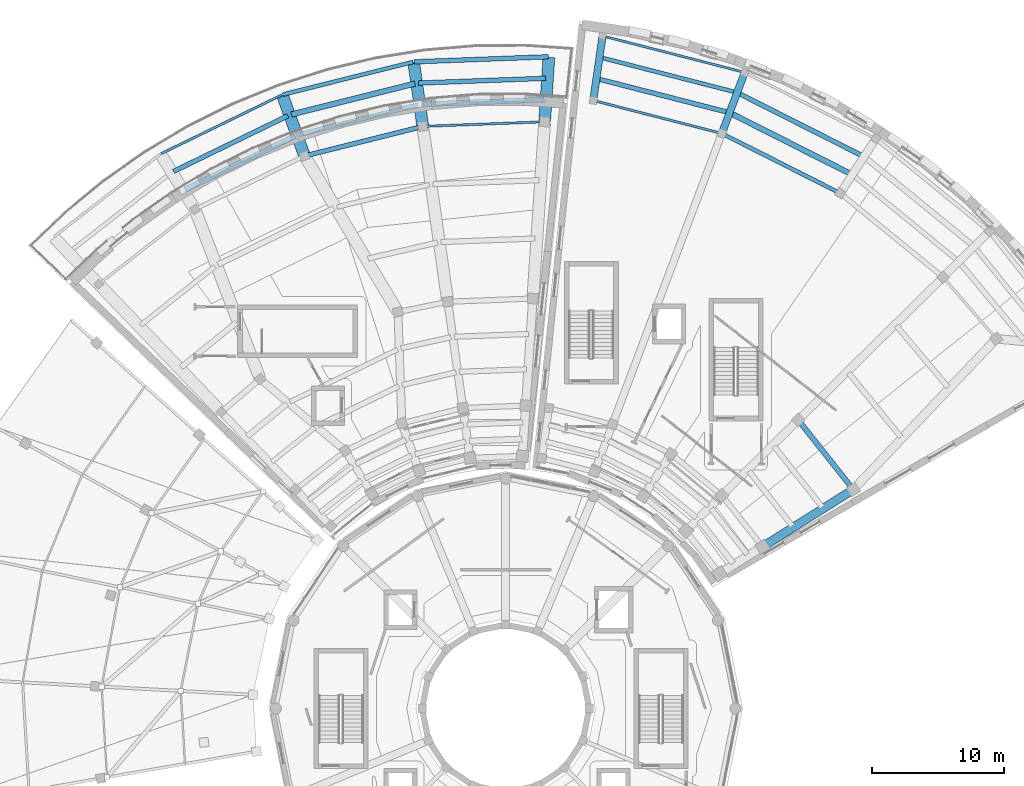
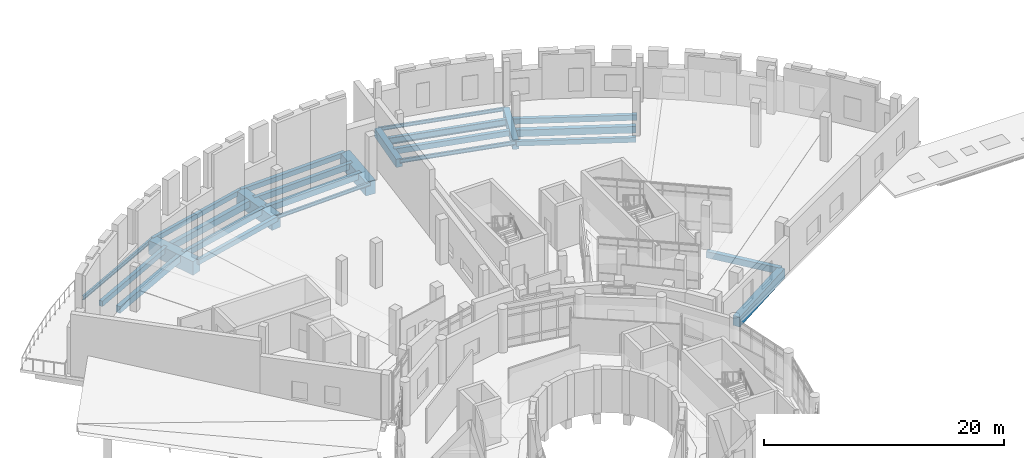
# One storey, part 19 of 49: 25 beams.
"""IFC4 building model written with IfcOpenShell, lengths in metres."""

from ifc_helpers import new_model, si_unit, direction, frame, origin, origin_2d, place, context, subcontext, project, spatial, rectangle, i_section, extrude, material, material_profile, profile_set, type_object, element, save


model = new_model("IFC4")

# Units and contexts
model_context = context("Model", 3, precision=1e-05, world=origin(), true_north=direction((0.0, 1.0)))
body_context = subcontext(model_context, "Body", "Model", "MODEL_VIEW")
ifc_project = project(units=[si_unit("LENGTHUNIT", "METRE"), si_unit("AREAUNIT", "SQUARE_METRE"), si_unit("VOLUMEUNIT", "CUBIC_METRE"), si_unit("PLANEANGLEUNIT", "RADIAN"), si_unit("MASSUNIT", "GRAM", prefix="KILO")], contexts=[model_context])

# Site, building, storey
site_placement = place(None, origin())
site = spatial("IfcSite", under=ifc_project, at=site_placement, CompositionType="ELEMENT")
building_placement = place(site_placement, origin())
building = spatial("IfcBuilding", under=site, at=building_placement, Name="Soyqirgoq Riverine Aquarium", CompositionType="ELEMENT")
storey_placement = place(building_placement, frame((0.0, 0.0, 15.0)))
storey = spatial("IfcBuildingStorey", under=building, at=storey_placement, Name="L04", CompositionType="ELEMENT", Elevation=15.0)

# Beams
ifc_material_1 = material(Name="Concrete C40/50", Category="concrete")
ifc_material_profile_1 = material_profile(ifc_material_1, rectangle(XDim=0.35009765625, YDim=0.60009765625, at=origin_2d()), Name="RC 350x600")
ifc_profile_set_1 = profile_set([ifc_material_profile_1], Name="Concrete C40/50")
beam_type_1 = type_object("IfcBeamType", Name="Beam_RC_350x600", PredefinedType="JOIST", material=ifc_profile_set_1)
beam_1_placement = place(storey_placement, frame((59.0390625, 104.855712890625, -0.580078125), z_axis=(-0.999297071666, -0.037488165589, 0.0), x_axis=(0.037488165589, -0.999297071666, 0.0)))
element("IfcBeam", 1, at=beam_1_placement, inside=storey, type_object=beam_type_1, Name="V4 L04 Secondary Floor Joist 0735", PredefinedType="JOIST", context=body_context, shape_type="SweptSolid", body=[
    extrude(rectangle(XDim=0.35009765625, YDim=0.60009765625, at=origin_2d()), origin(), (0.0, 0.0, 1.0), 9.66455078125),
])
beam_2_placement = place(storey_placement, frame((49.335693359375, 102.8369140625, -0.580078125), z_axis=(-0.970079328611, -0.242788171462, 0.0), x_axis=(0.242788171462, -0.970079328611, 0.0)))
element("IfcBeam", 2, at=beam_2_placement, inside=storey, type_object=beam_type_1, Name="V4 L04 Secondary Floor Joist 0736", PredefinedType="JOIST", context=body_context, shape_type="SweptSolid", body=[
    extrude(rectangle(XDim=0.35009765625, YDim=0.60009765625, at=origin_2d()), origin(), (0.0, 0.0, 1.0), 9.32568359375),
])
ifc_material_2 = material(Name="Concrete C40/50", Category="concrete")
ifc_material_profile_2 = material_profile(ifc_material_2, rectangle(XDim=0.39990234375, YDim=0.60009765625, at=origin_2d()), Name="RC 400x600")
ifc_profile_set_2 = profile_set([ifc_material_profile_2], Name="Concrete C40/50")
beam_type_2 = type_object("IfcBeamType", Name="Beam_RC_400x600", PredefinedType="JOIST", material=ifc_profile_set_2)
beam_3_placement = place(storey_placement, frame((58.930908203125, 103.225830078125, -0.580078125), z_axis=(-0.999297076426, -0.037488038705, 0.0), x_axis=(0.037488038705, -0.999297076426, 0.0)))
element("IfcBeam", 3, at=beam_3_placement, inside=storey, type_object=beam_type_2, Name="V4 L04 Secondary Floor Joist 0734", PredefinedType="JOIST", context=body_context, shape_type="SweptSolid", body=[
    extrude(rectangle(XDim=0.39990234375, YDim=0.60009765625, at=origin_2d()), origin(), (0.0, 0.0, 1.0), 9.325927734375),
])
ifc_material_3 = material(Name="Concrete C40/50", Category="concrete")
ifc_material_profile_3 = material_profile(ifc_material_3, rectangle(XDim=0.39990234375, YDim=0.64990234375, at=origin_2d()), Name="RC 400x650")
ifc_profile_set_3 = profile_set([ifc_material_profile_3], Name="Concrete C40/50")
beam_type_3 = type_object("IfcBeamType", Name="Beam_RC_400x650", PredefinedType="BEAM", material=ifc_profile_set_3)
beam_4_placement = place(storey_placement, frame((82.3701171875, 73.664794921875, -0.60498046875), z_axis=(-0.621132353324, 0.783705684332, 0.0), x_axis=(-0.783705684332, -0.621132353324, 0.0)))
element("IfcBeam", 4, at=beam_4_placement, inside=storey, type_object=beam_type_3, Name="V5 L04 Wedge Chord Beam 0935", PredefinedType="BEAM", context=body_context, shape_type="SweptSolid", body=[
    extrude(rectangle(XDim=0.39990234375, YDim=0.64990234375, at=origin_2d()), origin(), (0.0, 0.0, 1.0), 6.63916015625),
])
ifc_material_4 = material(Name="Concrete C40/50", Category="concrete")
ifc_material_profile_4 = material_profile(ifc_material_4, rectangle(XDim=0.419921875, YDim=0.679931640625, at=origin_2d()), Name="RC 420x680")
ifc_profile_set_4 = profile_set([ifc_material_profile_4], Name="Concrete C40/50")
beam_type_4 = type_object("IfcBeamType", Name="Beam_RC_420x680", PredefinedType="BEAM", material=ifc_profile_set_4)
beam_5_placement = place(storey_placement, frame((49.105712890625, 104.4541015625, -0.6201171875), z_axis=(-0.970086007326, -0.242761484569, 0.0), x_axis=(0.242761484569, -0.970086007326, 0.0)))
element("IfcBeam", 5, at=beam_5_placement, inside=storey, type_object=beam_type_4, Name="V4 L04 Secondary Floor Joist 0737", PredefinedType="BEAM", context=body_context, shape_type="SweptSolid", body=[
    extrude(rectangle(XDim=0.419921875, YDim=0.679931640625, at=origin_2d()), origin(), (0.0, 0.0, 1.0), 9.66455078125),
])
beam_6_placement = place(storey_placement, frame((40.02734375, 100.4775390625, -0.6201171875), z_axis=(-0.899181920875, -0.437574991482, 0.0), x_axis=(0.437574991482, -0.899181920875, 0.0)))
element("IfcBeam", 6, at=beam_6_placement, inside=storey, type_object=beam_type_4, Name="V4 L04 Secondary Floor Joist 0738", PredefinedType="BEAM", context=body_context, shape_type="SweptSolid", body=[
    extrude(rectangle(XDim=0.419921875, YDim=0.679931640625, at=origin_2d()), origin(), (0.0, 0.0, 1.0), 9.325927734375),
])
beam_7_placement = place(storey_placement, frame((82.19921875, 97.5986328125, -0.6201171875), z_axis=(-0.892588619562, 0.450871995392, 0.0), x_axis=(-0.450871995392, -0.892588619562, 0.0)))
element("IfcBeam", 7, at=beam_7_placement, inside=storey, type_object=beam_type_4, Name="V5 L04 Secondary Floor Joist 0946", PredefinedType="BEAM", context=body_context, shape_type="SweptSolid", body=[
    extrude(rectangle(XDim=0.419921875, YDim=0.679931640625, at=origin_2d()), origin(), (0.0, 0.0, 1.0), 10.159912109375),
])
ifc_material_5 = material(Name="Concrete C40/50", Category="concrete")
ifc_material_profile_5 = material_profile(ifc_material_5, rectangle(XDim=0.550048828125, YDim=0.85009765625, at=origin_2d()), Name="RC 550x850")
ifc_profile_set_5 = profile_set([ifc_material_profile_5], Name="Concrete C40/50")
beam_type_5 = type_object("IfcBeamType", Name="Girder_RC_550x850", PredefinedType="BEAM", material=ifc_profile_set_5)
beam_8_placement = place(storey_placement, frame((62.66064453125, 103.22265625, -0.705078125), z_axis=(0.142661605839, 0.989771522231, 0.0), x_axis=(-0.989771522231, 0.142661605839, 0.0)))
element("IfcBeam", 8, at=beam_8_placement, inside=storey, type_object=beam_type_5, Name="V5 L04 Wedge Radial Girder 0916", PredefinedType="BEAM", context=body_context, shape_type="SweptSolid", body=[
    extrude(rectangle(XDim=0.550048828125, YDim=0.85009765625, at=origin_2d()), origin(), (0.0, 0.0, 1.0), 4.849853515625),
])
ifc_material_6 = material(Name="Concrete C40/50", Category="concrete")
ifc_material_profile_6 = material_profile(ifc_material_6, rectangle(XDim=0.550048828125, YDim=0.949951171875, at=origin_2d()), Name="RC 550x950")
ifc_profile_set_6 = profile_set([ifc_material_profile_6], Name="Concrete C40/50")
beam_type_6 = type_object("IfcBeamType", Name="Girder_RC_550x950", PredefinedType="BEAM", material=ifc_profile_set_6)
beam_9_placement = place(storey_placement, frame((72.430908203125, 100.714111328125, -0.7548828125), z_axis=(0.35186806863, 0.936049604604, 0.0), x_axis=(-0.936049604604, 0.35186806863, 0.0)))
element("IfcBeam", 9, at=beam_9_placement, inside=storey, type_object=beam_type_6, Name="V5 L04 Wedge Radial Girder 0914", PredefinedType="BEAM", context=body_context, shape_type="SweptSolid", body=[
    extrude(rectangle(XDim=0.550048828125, YDim=0.949951171875, at=origin_2d()), origin(), (0.0, 0.0, 1.0), 4.849853515625),
])
ifc_material_7 = material(Name="Concrete C40/50", Category="concrete")
ifc_material_profile_7 = material_profile(ifc_material_7, rectangle(XDim=0.64990234375, YDim=1.0, at=origin_2d()), Name="RC 650x1000")
ifc_profile_set_7 = profile_set([ifc_material_profile_7], Name="Concrete C40/50")
beam_type_7 = type_object("IfcBeamType", Name="Girder_RC_650x1000", PredefinedType="BEAM", material=ifc_profile_set_7)
beam_10_placement = place(storey_placement, frame((75.547119140625, 69.309326171875, -0.780029296875), z_axis=(0.846182190255, 0.532893705063, 0.0), x_axis=(-0.532893705063, 0.846182190255, 0.0)))
element("IfcBeam", 10, at=beam_10_placement, inside=storey, type_object=beam_type_7, Name="V5 L04 Wedge Radial Girder 0903", PredefinedType="BEAM", context=body_context, shape_type="SweptSolid", body=[
    extrude(rectangle(XDim=0.64990234375, YDim=1.0, at=origin_2d()), origin(), (0.0, 0.0, 1.0), 8.050048828125),
])
ifc_material_8 = material(Name="Concrete C40/50", Category="concrete")
ifc_material_profile_8 = material_profile(ifc_material_8, rectangle(XDim=0.300048828125, YDim=0.5, at=origin_2d()), Name="RC 300x500")
ifc_profile_set_8 = profile_set([ifc_material_profile_8], Name="Concrete C40/50")
beam_type_8 = type_object("IfcBeamType", Name="Spandrel_RC_300x500", PredefinedType="SPANDREL", material=ifc_profile_set_8)
beam_11_placement = place(storey_placement, frame((48.962890625, 106.093017578125, -0.530029296875), z_axis=(-0.970084651457, -0.242766902619, 0.0), x_axis=(0.242766902619, -0.970084651457, 0.0)))
element("IfcBeam", 11, at=beam_11_placement, inside=storey, type_object=beam_type_8, Name="V4 L04 Wedge Chord Beam 0743", PredefinedType="SPANDREL", context=body_context, shape_type="SweptSolid", body=[
    extrude(rectangle(XDim=0.300048828125, YDim=0.5, at=origin_2d()), origin(), (0.0, 0.0, 1.0), 10.183349609375),
])
beam_12_placement = place(storey_placement, frame((81.36279296875, 96.146484375, -0.530029296875), z_axis=(-0.892579349445, 0.450890346919, 0.0), x_axis=(-0.450890346919, -0.892579349445, 0.0)))
element("IfcBeam", 12, at=beam_12_placement, inside=storey, type_object=beam_type_8, Name="V5 L04 Wedge Chord Beam 0940", PredefinedType="SPANDREL", context=body_context, shape_type="SweptSolid", body=[
    extrude(rectangle(XDim=0.300048828125, YDim=0.5, at=origin_2d()), origin(), (0.0, 0.0, 1.0), 9.9765625),
])
ifc_material_9 = material(Name="Concrete C40/50", Category="concrete")
ifc_material_profile_9 = material_profile(ifc_material_9, rectangle(XDim=0.35009765625, YDim=0.5, at=origin_2d()), Name="RC 350x500")
ifc_profile_set_9 = profile_set([ifc_material_profile_9], Name="Concrete C40/50")
beam_type_9 = type_object("IfcBeamType", Name="Spandrel_RC_350x500", PredefinedType="SPANDREL", material=ifc_profile_set_9)
beam_13_placement = place(storey_placement, frame((49.660400390625, 101.1923828125, -0.530029296875), z_axis=(-0.970087583471, -0.242755186135, 0.0), x_axis=(0.242755186135, -0.970087583471, 0.0)))
element("IfcBeam", 13, at=beam_13_placement, inside=storey, type_object=beam_type_9, Name="V4 L04 Wedge Chord Beam 0731", PredefinedType="SPANDREL", context=body_context, shape_type="SweptSolid", body=[
    extrude(rectangle(XDim=0.35009765625, YDim=0.5, at=origin_2d()), origin(), (0.0, 0.0, 1.0), 9.156982421875),
])
beam_14_placement = place(storey_placement, frame((59.2373046875, 106.489013671875, -0.530029296875), z_axis=(-0.999296751316, -0.037496703991, 0.0), x_axis=(0.037496703991, -0.999296751316, 0.0)))
element("IfcBeam", 14, at=beam_14_placement, inside=storey, type_object=beam_type_9, Name="V4 L04 Wedge Chord Beam 0742", PredefinedType="SPANDREL", context=body_context, shape_type="SweptSolid", body=[
    extrude(rectangle(XDim=0.35009765625, YDim=0.5, at=origin_2d()), origin(), (0.0, 0.0, 1.0), 10.18310546875),
])
ifc_material_10 = material(Name="Structural steel S355", Category="steel")
ifc_material_profile_10 = material_profile(ifc_material_10, i_section(OverallWidth=0.169921875, OverallDepth=0.360107421875, WebThickness=0.008056640625, FlangeThickness=0.0126953125, FilletRadius=0.01806640625, at=origin_2d()), Name="IPE 360")
ifc_profile_set_10 = profile_set([ifc_material_profile_10], Name="Structural steel S355")
beam_type_10 = type_object("IfcBeamType", Name="Spandrel_Steel_IPE360", PredefinedType="SPANDREL", material=ifc_profile_set_10)
beam_15_placement = place(storey_placement, frame((58.9091796875, 101.5498046875, -0.4599609375), z_axis=(-0.999297116407, -0.037486972937, 0.0), x_axis=(0.037486972937, -0.999297116407, 0.0)))
element("IfcBeam", 15, at=beam_15_placement, inside=storey, type_object=beam_type_10, Name="V4 L04 Wedge Chord Beam 0730", PredefinedType="SPANDREL", context=body_context, shape_type="SweptSolid", body=[
    extrude(i_section(OverallWidth=0.169921875, OverallDepth=0.360107421875, WebThickness=0.008056640625, FlangeThickness=0.0126953125, FilletRadius=0.01806640625, at=origin_2d()), origin(), (0.0, 0.0, 1.0), 9.15673828125),
])
beam_16_placement = place(storey_placement, frame((74.106689453125, 105.31298828125, -0.4599609375), z_axis=(-0.968579543113, 0.248703977981, 0.0), x_axis=(-0.248703977981, -0.968579543113, 0.0)))
element("IfcBeam", 16, at=beam_16_placement, inside=storey, type_object=beam_type_10, Name="V5 L04 Wedge Chord Beam 0953", PredefinedType="SPANDREL", context=body_context, shape_type="SweptSolid", body=[
    extrude(i_section(OverallWidth=0.169921875, OverallDepth=0.360107421875, WebThickness=0.008056640625, FlangeThickness=0.0126953125, FilletRadius=0.01806640625, at=origin_2d()), origin(), (0.0, 0.0, 1.0), 11.045654296875),
])
ifc_material_11 = material(Name="Structural steel S355", Category="steel")
ifc_material_profile_11 = material_profile(ifc_material_11, i_section(OverallWidth=0.179931640625, OverallDepth=0.39990234375, WebThickness=0.008544921875, FlangeThickness=0.013427734375, FilletRadius=0.02099609375, at=origin_2d()), Name="IPE 400")
ifc_profile_set_11 = profile_set([ifc_material_profile_11], Name="Structural steel S355")
beam_type_11 = type_object("IfcBeamType", Name="Spandrel_Steel_IPE400", PredefinedType="SPANDREL", material=ifc_profile_set_11)
beam_17_placement = place(storey_placement, frame((38.99072265625, 103.5869140625, -0.47998046875), z_axis=(-0.899170842723, -0.437597755476, 0.0), x_axis=(0.437597755476, -0.899170842723, 0.0)))
element("IfcBeam", 17, at=beam_17_placement, inside=storey, type_object=beam_type_11, Name="V4 L04 Wedge Chord Beam 0744", PredefinedType="SPANDREL", context=body_context, shape_type="SweptSolid", body=[
    extrude(i_section(OverallWidth=0.179931640625, OverallDepth=0.39990234375, WebThickness=0.008544921875, FlangeThickness=0.013427734375, FilletRadius=0.02099609375, at=origin_2d()), origin(), (0.0, 0.0, 1.0), 10.18310546875),
])
beam_18_placement = place(storey_placement, frame((72.364990234375, 100.6796875, -0.47998046875), z_axis=(-0.968585617633, 0.248680319515, 0.0), x_axis=(-0.248680319515, -0.968585617633, 0.0)))
element("IfcBeam", 18, at=beam_18_placement, inside=storey, type_object=beam_type_11, Name="V5 L04 Wedge Chord Beam 0941", PredefinedType="SPANDREL", context=body_context, shape_type="SweptSolid", body=[
    extrude(i_section(OverallWidth=0.179931640625, OverallDepth=0.39990234375, WebThickness=0.008544921875, FlangeThickness=0.013427734375, FilletRadius=0.02099609375, at=origin_2d()), origin(), (0.0, 0.0, 1.0), 9.9765625),
])
ifc_material_12 = material(Name="Structural steel S355", Category="steel")
ifc_material_profile_12 = material_profile(ifc_material_12, i_section(OverallWidth=0.300048828125, OverallDepth=0.68994140625, WebThickness=0.014404296875, FlangeThickness=0.027099609375, FilletRadius=0.027099609375, at=origin_2d()), Name="HEA 700")
ifc_profile_set_12 = profile_set([ifc_material_profile_12], Name="Structural steel S355")
beam_type_12 = type_object("IfcBeamType", Name="SteelBeam_HEA700", PredefinedType="BEAM", material=ifc_profile_set_12)
beam_19_placement = place(storey_placement, frame((73.444580078125, 103.806396484375, -0.625), z_axis=(-0.968580573977, 0.248699963237, 0.0), x_axis=(-0.248699963237, -0.968580573977, 0.0)))
element("IfcBeam", 19, at=beam_19_placement, inside=storey, type_object=beam_type_12, Name="V5 L04 Secondary Floor Joist 0949", PredefinedType="BEAM", context=body_context, shape_type="SweptSolid", body=[
    extrude(i_section(OverallWidth=0.300048828125, OverallDepth=0.68994140625, WebThickness=0.014404296875, FlangeThickness=0.027099609375, FilletRadius=0.027099609375, at=origin_2d()), origin(), (0.0, 0.0, 1.0), 10.5126953125),
])
ifc_material_13 = material(Name="Concrete C40/50", Category="concrete")
ifc_material_profile_13 = material_profile(ifc_material_13, rectangle(XDim=0.35009765625, YDim=0.550048828125, at=origin_2d()), Name="RC 350x550")
ifc_profile_set_13 = profile_set([ifc_material_profile_13], Name="Concrete C40/50")
beam_type_13 = type_object("IfcBeamType", Name="TBeam_RC_350x550", PredefinedType="T_BEAM", material=ifc_profile_set_13)
beam_20_placement = place(storey_placement, frame((39.468505859375, 102.012451171875, -0.554931640625), z_axis=(-0.899175454325, -0.43758827948, 0.0), x_axis=(0.43758827948, -0.899175454325, 0.0)))
element("IfcBeam", 20, at=beam_20_placement, inside=storey, type_object=beam_type_13, Name="V4 L04 Secondary Floor Joist 0739", PredefinedType="T_BEAM", context=body_context, shape_type="SweptSolid", body=[
    extrude(rectangle(XDim=0.35009765625, YDim=0.550048828125, at=origin_2d()), origin(), (0.0, 0.0, 1.0), 9.664306640625),
])
beam_21_placement = place(storey_placement, frame((83.0888671875, 98.968505859375, -0.554931640625), z_axis=(-0.892589750017, 0.45086975743, 0.0), x_axis=(-0.45086975743, -0.892589750017, 0.0)))
element("IfcBeam", 21, at=beam_21_placement, inside=storey, type_object=beam_type_13, Name="V5 L04 Secondary Floor Joist 0947", PredefinedType="T_BEAM", context=body_context, shape_type="SweptSolid", body=[
    extrude(rectangle(XDim=0.35009765625, YDim=0.550048828125, at=origin_2d()), origin(), (0.0, 0.0, 1.0), 10.512939453125),
])
beam_22_placement = place(storey_placement, frame((72.869873046875, 102.27734375, -0.554931640625), z_axis=(-0.968577827691, 0.24871065861, 0.0), x_axis=(-0.24871065861, -0.968577827691, 0.0)))
element("IfcBeam", 22, at=beam_22_placement, inside=storey, type_object=beam_type_13, Name="V5 L04 Secondary Floor Joist 0948", PredefinedType="T_BEAM", context=body_context, shape_type="SweptSolid", body=[
    extrude(rectangle(XDim=0.35009765625, YDim=0.550048828125, at=origin_2d()), origin(), (0.0, 0.0, 1.0), 10.159912109375),
])
ifc_material_14 = material(Name="Waterproof concrete C45/55", Category="concrete")
ifc_material_profile_14 = material_profile(ifc_material_14, rectangle(XDim=0.89990234375, YDim=1.39990234375, at=origin_2d()), Name="RC 900x1400")
ifc_profile_set_14 = profile_set([ifc_material_profile_14], Name="Waterproof concrete C45/55")
beam_type_14 = type_object("IfcBeamType", Name="TransferGirder_900x1400", PredefinedType="BEAM", material=ifc_profile_set_14)
beam_23_placement = place(storey_placement, frame((58.96240234375, 101.601806640625, -0.97998046875), z_axis=(0.066295160615, 0.997800055963, 0.0), x_axis=(-0.997800055963, 0.066295160615, 0.0)))
element("IfcBeam", 23, at=beam_23_placement, inside=storey, type_object=beam_type_14, Name="V4 L04 Wedge Radial Girder 0679", PredefinedType="BEAM", context=body_context, shape_type="SweptSolid", body=[
    extrude(rectangle(XDim=0.89990234375, YDim=1.39990234375, at=origin_2d()), origin(), (0.0, 0.0, 1.0), 4.85009765625),
])
for number, where, z_axis, x_axis, name in (
    (24, (49.701904296875, 101.254150390625, -0.97998046875), (-0.140949160463, 0.990016835294, 0.0), (-0.990016835294, -0.140949160463, 0.0), "V4 L04 Wedge Radial Girder 0683"),
    (25, (40.711669921875, 99.00439453125, -0.97998046875), (-0.342009814461, 0.939696380121, 0.0), (-0.939696380121, -0.342009814461, 0.0), "V4 L04 Wedge Radial Girder 0687"),
):
    element("IfcBeam", number, at=place(storey_placement, frame(where, z_axis=z_axis, x_axis=x_axis)), inside=storey, type_object=beam_type_14, Name=name, PredefinedType="BEAM", context=body_context, shape_type="SweptSolid", body=[
        extrude(rectangle(XDim=0.89990234375, YDim=1.39990234375, at=origin_2d()), origin(), (0.0, 0.0, 1.0), 4.849853515625),
    ])

save(model, "model.ifc")
